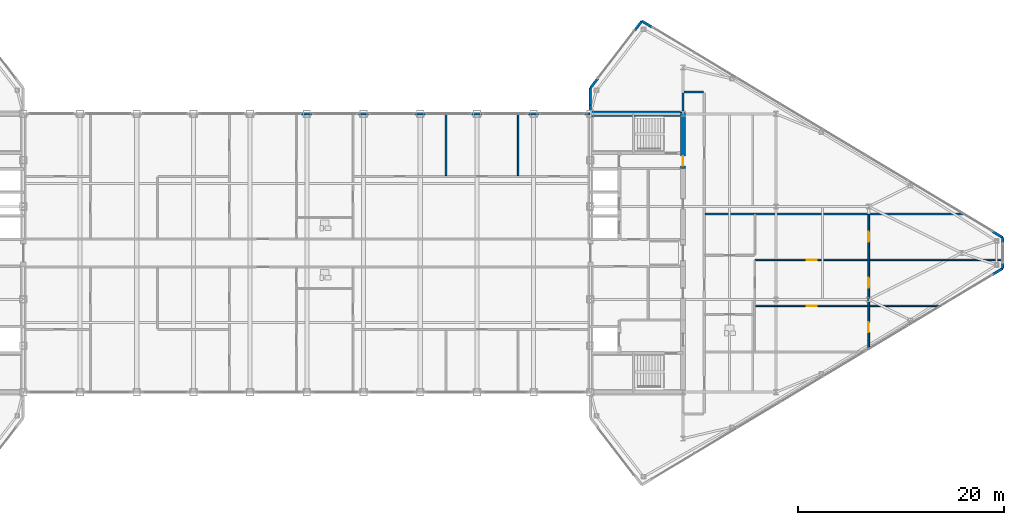
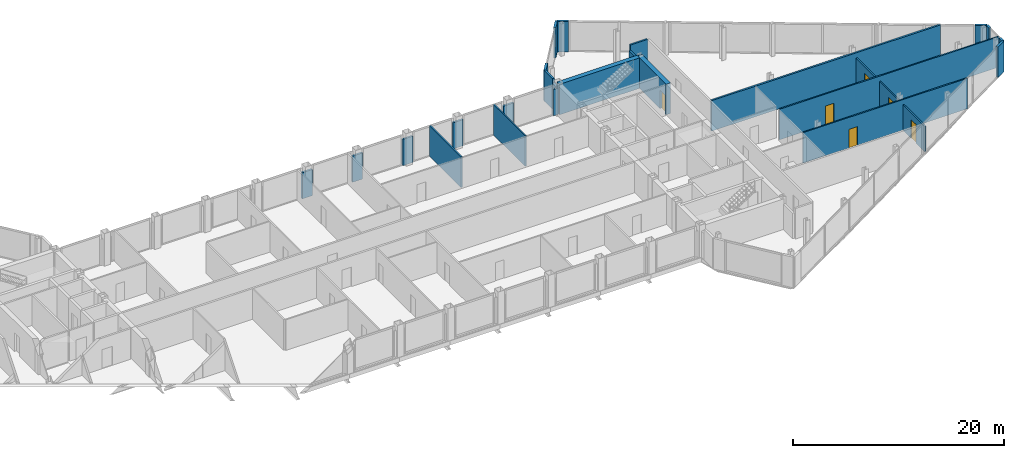
# One storey, part 25 of 28: 25 walls, 6 doors, 6 openings.
"""IFC4 building model written with IfcOpenShell, lengths in metres."""

from ifc_helpers import new_model, si_unit, direction, frame, frame_2d, origin, place, context, subcontext, project, spatial, rectangle, extrude, source, transform, mapped, material, layer, layer_set, type_object, type_shapes, element, fill, save


model = new_model("IFC4")

# Units and contexts
model_context = context("Model", 3, precision=1e-05, world=origin(), true_north=direction((0.0, 1.0)))
body_context = subcontext(model_context, "Body", "Model", "MODEL_VIEW")
ifc_project = project(units=[si_unit("LENGTHUNIT", "METRE"), si_unit("AREAUNIT", "SQUARE_METRE"), si_unit("VOLUMEUNIT", "CUBIC_METRE"), si_unit("PLANEANGLEUNIT", "RADIAN"), si_unit("MASSUNIT", "GRAM", prefix="KILO")], contexts=[model_context])

# Site, building, storey
site_placement = place(None, origin())
site = spatial("IfcSite", under=ifc_project, at=site_placement, CompositionType="ELEMENT")
building_placement = place(site_placement, origin())
building = spatial("IfcBuilding", under=site, at=building_placement, Name="Seokmaru Belvedere", CompositionType="ELEMENT")
storey_placement = place(building_placement, frame((0.0, 0.0, 261.89990234375)))
storey = spatial("IfcBuildingStorey", under=building, at=storey_placement, Name="L69", CompositionType="ELEMENT", Elevation=261.89990234375)

# Wall, opening, door
ifc_material_1 = material(Name="Fire-Rated Gypsum Shaftwall")
ifc_layer_1 = layer(ifc_material_1, 0.14990234375)
ifc_layer_set_1 = layer_set([ifc_layer_1], Name="Fire-Rated Gypsum Shaftwall")
wall_type_1 = type_object("IfcWallType", Name="Apartment Fire-Acoustic Room Partition 150", PredefinedType="PARTITIONING", material=ifc_layer_set_1)
wall_1_placement = place(storey_placement, frame((43.5, -5.1298828125, 0.0), z_axis=(0.0, 0.0, 1.0), x_axis=(1.0, 0.0, 0.0)))
wall_1 = element("IfcWall", 1, at=wall_1_placement, inside=storey, type_object=wall_type_1, Name="L69 Interior Partition 008", PredefinedType="PARTITIONING", context=body_context, shape_type="SweptSolid", body=[
    extrude(rectangle(XDim=17.97998046875, YDim=0.14990234375, at=frame_2d((8.989990234375, 0.0))), origin(), (0.0, 0.0, 1.0), 3.530029296875),
])
opening_1_placement = place(wall_1_placement, frame((5.0, 0.0, 0.0)))
opening_1 = element("IfcOpeningElement", 2, at=opening_1_placement, cuts=wall_1, Name="Opening D05", PredefinedType="OPENING", context=body_context, shape_type="SweptSolid", body=[
    extrude(rectangle(XDim=0.949951171875, YDim=2.14990234375, at=frame_2d((0.47509765625, 1.074951171875))), frame((0.0, 0.0849609375, 0.0), z_axis=(0.0, -1.0, 0.0), x_axis=(1.0, 0.0, 0.0)), (0.0, 0.0, 1.0), 0.169921875),
])
ifc_material_2 = material(Name="Engineered White Oak Timber", Category="wood")
door_type_1 = type_object("IfcDoorType", Name="Apartment Interior Fire-Rated Oak Door 950x2150", OperationType="NOTDEFINED", PredefinedType="DOOR", material=ifc_material_2)
shared_shape_1 = source(origin(), body_context, "Body", "SweptSolid", [
    extrude(rectangle(XDim=0.949951171875, YDim=2.14990234375, at=frame_2d((0.47509765625, 1.074951171875))), frame((0.0, 0.02490234375, 0.0), z_axis=(0.0, -1.0, 0.0), x_axis=(1.0, 0.0, 0.0)), (0.0, 0.0, 1.0), 0.050048828125),
])
type_shapes(door_type_1, [shared_shape_1])
door_1_placement = place(opening_1_placement, origin())
door_1 = element("IfcDoor", 3, at=door_1_placement, inside=storey, type_object=door_type_1, Name="L69 Interior Door 009", OperationType="SINGLE_SWING_RIGHT", OverallHeight=2.14990234375, OverallWidth=0.949951171875, PredefinedType="DOOR", context=body_context, shape_type="MappedRepresentation", body=[
    mapped(shared_shape_1, transform((0.0, 0.0, 0.0), scale=1.0)),
])
fill(opening_1, door_1)

wall_2_placement = place(storey_placement, frame((43.5, -0.669921875, 0.0), z_axis=(0.0, 0.0, 1.0), x_axis=(1.0, 0.0, 0.0)))
wall_2 = element("IfcWall", 4, at=wall_2_placement, inside=storey, type_object=wall_type_1, Name="L69 Interior Partition 011", PredefinedType="PARTITIONING", context=body_context, shape_type="SweptSolid", body=[
    extrude(rectangle(XDim=24.034912109375, YDim=0.14990234375, at=frame_2d((12.017578125, 0.0))), origin(), (0.0, 0.0, 1.0), 3.530029296875),
])
opening_2_placement = place(wall_2_placement, frame((5.0, 0.0, 0.0)))
opening_2 = element("IfcOpeningElement", 5, at=opening_2_placement, cuts=wall_2, Name="Opening D05", PredefinedType="OPENING", context=body_context, shape_type="SweptSolid", body=[
    extrude(rectangle(XDim=0.949951171875, YDim=2.14990234375, at=frame_2d((0.47509765625, 1.074951171875))), frame((0.0, 0.0849609375, 0.0), z_axis=(0.0, -1.0, 0.0), x_axis=(1.0, 0.0, 0.0)), (0.0, 0.0, 1.0), 0.169921875),
])
door_2_placement = place(opening_2_placement, origin())
door_2 = element("IfcDoor", 6, at=door_2_placement, inside=storey, type_object=door_type_1, Name="L69 Interior Door 010", OperationType="SINGLE_SWING_LEFT", OverallHeight=2.14990234375, OverallWidth=0.949951171875, PredefinedType="DOOR", context=body_context, shape_type="MappedRepresentation", body=[
    mapped(shared_shape_1, transform((0.0, 0.0, 0.0), scale=1.0)),
])
fill(opening_2, door_2)

# Walls
for number, where, z_axis, x_axis, name in (
    (7, (13.5, 7.510009765625, 0.0), (0.0, 0.0, 1.0), (0.0, 1.0, 0.0), "L69 Interior Partition 036"),
    (8, (20.5, 7.510009765625, 0.0), (0.0, 0.0, 1.0), (0.0, 1.0, 0.0), "L69 Interior Partition 038"),
):
    element("IfcWall", number, at=place(storey_placement, frame(where, z_axis=z_axis, x_axis=x_axis)), inside=storey, type_object=wall_type_1, Name=name, PredefinedType="PARTITIONING", context=body_context, shape_type="SweptSolid", body=[
        extrude(rectangle(XDim=5.989990234375, YDim=0.14990234375, at=frame_2d((2.9951171875, 0.0))), origin(), (0.0, 0.0, 1.0), 3.530029296875),
    ])

# Wall, openings, doors
wall_3_placement = place(storey_placement, frame((54.5, -9.3349609375, 0.0), z_axis=(0.0, 0.0, 1.0), x_axis=(0.0, 1.0, 0.0)))
wall_3 = element("IfcWall", 9, at=wall_3_placement, inside=storey, type_object=wall_type_1, Name="L69 Interior Partition 044", PredefinedType="PARTITIONING", context=body_context, shape_type="SweptSolid", body=[
    extrude(rectangle(XDim=13.0849609375, YDim=0.14990234375, at=frame_2d((6.54248046875, 0.0))), origin(), (0.0, 0.0, 1.0), 2.93017578125),
])
opening_3_placement = place(wall_3_placement, frame((5.9599609375, 0.0, 0.0)))
opening_3 = element("IfcOpeningElement", 10, at=opening_3_placement, cuts=wall_3, Name="Opening D05", PredefinedType="OPENING", context=body_context, shape_type="SweptSolid", body=[
    extrude(rectangle(XDim=0.949951171875, YDim=2.14990234375, at=frame_2d((0.47509765625, 1.074951171875))), frame((0.0, 0.0849609375, 0.0), z_axis=(0.0, -1.0, 0.0), x_axis=(1.0, 0.0, 0.0)), (0.0, 0.0, 1.0), 0.169921875),
])
opening_4_placement = place(wall_3_placement, frame((1.643310546875, 0.0, 0.0)))
opening_4 = element("IfcOpeningElement", 11, at=opening_4_placement, cuts=wall_3, Name="Opening D05", PredefinedType="OPENING", context=body_context, shape_type="SweptSolid", body=[
    extrude(rectangle(XDim=0.949951171875, YDim=2.14990234375, at=frame_2d((0.47509765625, 1.074951171875))), frame((0.0, 0.0849609375, 0.0), z_axis=(0.0, -1.0, 0.0), x_axis=(1.0, 0.0, 0.0)), (0.0, 0.0, 1.0), 0.169921875),
])
opening_5_placement = place(wall_3_placement, frame((10.4267578125, 0.0, 0.0)))
opening_5 = element("IfcOpeningElement", 12, at=opening_5_placement, cuts=wall_3, Name="Opening D05", PredefinedType="OPENING", context=body_context, shape_type="SweptSolid", body=[
    extrude(rectangle(XDim=0.949951171875, YDim=2.14990234375, at=frame_2d((0.47509765625, 1.074951171875))), frame((0.0, 0.0849609375, 0.0), z_axis=(0.0, -1.0, 0.0), x_axis=(1.0, 0.0, 0.0)), (0.0, 0.0, 1.0), 0.169921875),
])
door_3_placement = place(opening_3_placement, origin())
door_3 = element("IfcDoor", 13, at=door_3_placement, inside=storey, type_object=door_type_1, Name="L69 Interior Door 008", OperationType="SINGLE_SWING_RIGHT", OverallHeight=2.14990234375, OverallWidth=0.949951171875, PredefinedType="DOOR", context=body_context, shape_type="MappedRepresentation", body=[
    mapped(shared_shape_1, transform((0.0, 0.0, 0.0), scale=1.0)),
])
fill(opening_3, door_3)
door_4_placement = place(opening_4_placement, origin())
door_4 = element("IfcDoor", 14, at=door_4_placement, inside=storey, type_object=door_type_1, Name="L69 Interior Door 011", OperationType="SINGLE_SWING_LEFT", OverallHeight=2.14990234375, OverallWidth=0.949951171875, PredefinedType="DOOR", context=body_context, shape_type="MappedRepresentation", body=[
    mapped(shared_shape_1, transform((0.0, 0.0, 0.0), scale=1.0)),
])
fill(opening_4, door_4)
door_5_placement = place(opening_5_placement, origin())
door_5 = element("IfcDoor", 15, at=door_5_placement, inside=storey, type_object=door_type_1, Name="L69 Interior Door 012", OperationType="SINGLE_SWING_RIGHT", OverallHeight=2.14990234375, OverallWidth=0.949951171875, PredefinedType="DOOR", context=body_context, shape_type="MappedRepresentation", body=[
    mapped(shared_shape_1, transform((0.0, 0.0, 0.0), scale=1.0)),
])
fill(opening_5, door_5)

# Walls
ifc_material_3 = material(Name="Anodised Bronze Aluminium", Category="aluminium")
ifc_layer_2 = layer(ifc_material_3, 0.2099609375)
ifc_layer_set_2 = layer_set([ifc_layer_2], Name="Anodised Bronze Aluminium")
wall_type_2 = type_object("IfcWallType", Name="Bridge Column Spandrel Closure Pier 210", PredefinedType="SOLIDWALL", material=ifc_layer_set_2)
for number, where, z_axis, x_axis, name in (
    (16, (-0.550048828125, 13.5, 0.0), (0.0, 0.0, 1.0), (1.0, 0.0, 0.0), "L69 Bridge North Column Closure Pier 06"),
    (17, (4.949951171875, 13.5, 0.0), (0.0, 0.0, 1.0), (1.0, 0.0, 0.0), "L69 Bridge North Column Closure Pier 07"),
    (18, (10.449951171875, 13.5, 0.0), (0.0, 0.0, 1.0), (1.0, 0.0, 0.0), "L69 Bridge North Column Closure Pier 08"),
    (19, (15.949951171875, 13.5, 0.0), (0.0, 0.0, 1.0), (1.0, 0.0, 0.0), "L69 Bridge North Column Closure Pier 09"),
    (20, (21.449951171875, 13.5, 0.0), (0.0, 0.0, 1.0), (1.0, 0.0, 0.0), "L69 Bridge North Column Closure Pier 10"),
):
    element("IfcWall", number, at=place(storey_placement, frame(where, z_axis=z_axis, x_axis=x_axis)), inside=storey, type_object=wall_type_2, Name=name, PredefinedType="SOLIDWALL", context=body_context, shape_type="SweptSolid", body=[
        extrude(rectangle(XDim=1.10009765625, YDim=0.2099609375, at=frame_2d((0.550048828125, 0.0))), origin(), (0.0, 0.0, 1.0), 3.030029296875),
    ])
wall_4_placement = place(storey_placement, frame((26.949951171875, 13.5, 0.0), z_axis=(0.0, 0.0, 1.0), x_axis=(1.0, 0.0, 0.0)))
element("IfcWall", 21, at=wall_4_placement, inside=storey, type_object=wall_type_2, Name="L69 Bridge North Column Closure Pier 11", PredefinedType="SOLIDWALL", context=body_context, shape_type="SweptSolid", body=[
    extrude(rectangle(XDim=0.5400390625, YDim=0.2099609375, at=frame_2d((0.27001953125, 0.0))), origin(), (0.0, 0.0, 1.0), 3.030029296875),
])
ifc_layer_3 = layer(ifc_material_1, 0.199951171875)
ifc_layer_set_3 = layer_set([ifc_layer_3], Name="Fire-Rated Gypsum Shaftwall")
wall_type_3 = type_object("IfcWallType", Name="Inter-Tenancy Fire Compartment Partition 200", PredefinedType="PARTITIONING", material=ifc_layer_set_3)
wall_5_placement = place(storey_placement, frame((38.6298828125, 3.800048828125, 0.0), z_axis=(0.0, 0.0, 1.0), x_axis=(1.0, 0.0, 0.0)))
element("IfcWall", 22, at=wall_5_placement, inside=storey, type_object=wall_type_3, Name="L69 Interior Partition 016", PredefinedType="PARTITIONING", context=body_context, shape_type="SweptSolid", body=[
    extrude(rectangle(XDim=25.046142578125, YDim=0.199951171875, at=frame_2d((12.52294921875, 0.0))), origin(), (0.0, 0.0, 1.0), 3.530029296875),
])
wall_6_placement = place(storey_placement, frame((36.5849609375, 15.60009765625, 0.0), z_axis=(0.0, 0.0, 1.0), x_axis=(1.0, 0.0, 0.0)))
element("IfcWall", 23, at=wall_6_placement, inside=storey, type_object=wall_type_3, Name="L69 Interior Partition 021", PredefinedType="PARTITIONING", context=body_context, shape_type="SweptSolid", body=[
    extrude(rectangle(XDim=1.880126953125, YDim=0.199951171875, at=frame_2d((0.93994140625, 0.0))), origin(), (0.0, 0.0, 1.0), 3.530029296875),
])
wall_7_placement = place(storey_placement, frame((36.5, 13.7548828125, 0.0), z_axis=(0.0, 0.0, 1.0), x_axis=(0.0, 1.0, 0.0)))
element("IfcWall", 24, at=wall_7_placement, inside=storey, type_object=wall_type_3, Name="L69 Interior Partition 040", PredefinedType="PARTITIONING", context=body_context, shape_type="SweptSolid", body=[
    extrude(rectangle(XDim=1.760009765625, YDim=0.199951171875, at=frame_2d((0.8798828125, 0.0))), origin(), (0.0, 0.0, 1.0), 2.93017578125),
])
ifc_layer_4 = layer(ifc_material_3, 0.239990234375)
ifc_layer_set_4 = layer_set([ifc_layer_4], Name="Anodised Bronze Aluminium")
wall_type_4 = type_object("IfcWallType", Name="Tower Corner Spandrel Closure Wall 240", PredefinedType="SOLIDWALL", material=ifc_layer_set_4)
wall_8_placement = place(storey_placement, frame((66.513916015625, -2.091796875, 0.0), z_axis=(0.0, 0.0, 1.0), x_axis=(0.85743623509, 0.514590228002, 0.0)))
element("IfcWall", 25, at=wall_8_placement, inside=storey, type_object=wall_type_4, Name="L69 E Corner Closure Pier 1B", PredefinedType="SOLIDWALL", context=body_context, shape_type="SweptSolid", body=[
    extrude(rectangle(XDim=1.14013671875, YDim=0.239990234375, at=frame_2d((0.570068359375, 0.0))), origin(), (0.0, 0.0, 1.0), 3.530029296875),
])
for number, where, z_axis, x_axis, name in (
    (26, (67.5, -1.489990234375, 0.0), (0.0, 0.0, 1.0), (0.0, 1.0, 0.0), "L69 E Apex Closure Pier 2A"),
    (27, (67.5, 0.949951171875, 0.0), (0.0, 0.0, 1.0), (0.0, 1.0, 0.0), "L69 E Apex Closure Pier 2B"),
):
    element("IfcWall", number, at=place(storey_placement, frame(where, z_axis=z_axis, x_axis=x_axis)), inside=storey, type_object=wall_type_4, Name=name, PredefinedType="SOLIDWALL", context=body_context, shape_type="SweptSolid", body=[
        extrude(rectangle(XDim=0.5400390625, YDim=0.239990234375, at=frame_2d((0.27001953125, 0.0))), origin(), (0.0, 0.0, 1.0), 3.530029296875),
    ])
for number, where, z_axis, x_axis, name in (
    (28, (67.491455078125, 1.505126953125, 0.0), (0.0, 0.0, 1.0), (-0.85743623509, 0.514590228002, 0.0), "L69 E Corner Closure Pier 3A"),
    (29, (33.486083984375, 21.908203125, 0.0), (0.0, 0.0, 1.0), (-0.85743623509, 0.514590228002, 0.0), "L69 E Corner Closure Pier 3B"),
    (30, (32.493896484375, 22.4921875, 0.0), (0.0, 0.0, 1.0), (-0.609617623633, -0.792695624408, 0.0), "L69 E Corner Closure Pier 4A"),
    (31, (28.201171875, 16.91162109375, 0.0), (0.0, 0.0, 1.0), (-0.609617623633, -0.792695624408, 0.0), "L69 E Corner Closure Pier 4B"),
):
    element("IfcWall", number, at=place(storey_placement, frame(where, z_axis=z_axis, x_axis=x_axis)), inside=storey, type_object=wall_type_4, Name=name, PredefinedType="SOLIDWALL", context=body_context, shape_type="SweptSolid", body=[
        extrude(rectangle(XDim=1.14013671875, YDim=0.239990234375, at=frame_2d((0.570068359375, 0.0))), origin(), (0.0, 0.0, 1.0), 3.530029296875),
    ])
wall_9_placement = place(storey_placement, frame((27.5, 13.7548828125, 0.0), z_axis=(0.0, 0.0, 1.0), x_axis=(0.0, 1.0, 0.0)))
element("IfcWall", 32, at=wall_9_placement, inside=storey, type_object=wall_type_4, Name="L69 E Shoulder Closure Wall 2", PredefinedType="SOLIDWALL", context=body_context, shape_type="SweptSolid", body=[
    extrude(rectangle(XDim=0.619873046875, YDim=0.239990234375, at=frame_2d((0.31005859375, 0.0))), origin(), (0.0, 0.0, 1.0), 3.030029296875),
])
wall_10_placement = place(storey_placement, frame((27.5, 14.374755859375, 0.0), z_axis=(0.0, 0.0, 1.0), x_axis=(0.0, 1.0, 0.0)))
element("IfcWall", 33, at=wall_10_placement, inside=storey, type_object=wall_type_4, Name="L69 E Shoulder Closure Wall 2 Part 2", PredefinedType="SOLIDWALL", context=body_context, shape_type="SweptSolid", body=[
    extrude(rectangle(XDim=1.605224609375, YDim=0.239990234375, at=frame_2d((0.802734375, 0.0))), origin(), (0.0, 0.0, 1.0), 3.530029296875),
])
ifc_material_4 = material(Name="Concrete C50 (50 MPa)", Category="concrete")
ifc_layer_5 = layer(ifc_material_4, 0.5)
ifc_layer_set_5 = layer_set([ifc_layer_5], Name="Concrete C50 (50 MPa)")
wall_type_5 = type_object("IfcWallType", Name="Upper Tower Reinforced Concrete Core Wall 500", PredefinedType="SHEAR", material=ifc_layer_set_5)
wall_11_placement = place(storey_placement, frame((27.5, 13.5, 0.0), z_axis=(0.0, 0.0, 1.0), x_axis=(1.0, 0.0, 0.0)))
element("IfcWall", 34, at=wall_11_placement, inside=storey, type_object=wall_type_5, Name="L69 East North Core Wall", PredefinedType="SHEAR", context=body_context, shape_type="SweptSolid", body=[
    extrude(rectangle(XDim=9.0, YDim=0.5, at=frame_2d((4.5, 0.0))), origin(), (0.0, 0.0, 1.0), 3.530029296875),
])

# Wall, opening, door
wall_12_placement = place(storey_placement, frame((36.5, 8.199951171875, 0.0), z_axis=(0.0, 0.0, 1.0), x_axis=(0.0, 1.0, 0.0)))
wall_12 = element("IfcWall", 35, at=wall_12_placement, inside=storey, type_object=wall_type_5, Name="L69 East West Core Wall VST", PredefinedType="SHEAR", context=body_context, shape_type="SweptSolid", body=[
    extrude(rectangle(XDim=5.449951171875, YDim=0.5, at=frame_2d((2.72509765625, 0.0))), origin(), (0.0, 0.0, 1.0), 3.530029296875),
])
opening_6_placement = place(wall_12_placement, frame((0.2451171875, 0.0, 0.0)))
opening_6 = element("IfcOpeningElement", 36, at=opening_6_placement, cuts=wall_12, Name="Opening D04", PredefinedType="OPENING", context=body_context, shape_type="SweptSolid", body=[
    extrude(rectangle(XDim=0.949951171875, YDim=2.14990234375, at=frame_2d((0.47509765625, 1.074951171875))), frame((0.0, 0.260009765625, 0.0), z_axis=(0.0, -1.0, 0.0), x_axis=(1.0, 0.0, 0.0)), (0.0, 0.0, 1.0), 0.52001953125),
])
ifc_material_5 = material(Name="Fire-Rated Steel Leaf", Category="steel")
door_type_2 = type_object("IfcDoorType", Name="Core Service Room Fire Door 950x2150", OperationType="NOTDEFINED", PredefinedType="DOOR", material=ifc_material_5)
shared_shape_2 = source(origin(), body_context, "Body", "SweptSolid", [
    extrude(rectangle(XDim=0.949951171875, YDim=2.14990234375, at=frame_2d((0.47509765625, 1.074951171875))), frame((0.0, 0.02490234375, 0.0), z_axis=(0.0, -1.0, 0.0), x_axis=(1.0, 0.0, 0.0)), (0.0, 0.0, 1.0), 0.050048828125),
])
type_shapes(door_type_2, [shared_shape_2])
door_6_placement = place(opening_6_placement, origin())
door_6 = element("IfcDoor", 37, at=door_6_placement, inside=storey, type_object=door_type_2, Name="L69 East Smokeproof Vestibule Door", OperationType="SINGLE_SWING_LEFT", OverallHeight=2.14990234375, OverallWidth=0.949951171875, PredefinedType="DOOR", context=body_context, shape_type="MappedRepresentation", body=[
    mapped(shared_shape_2, transform((0.0, 0.0, 0.0), scale=1.0)),
])
fill(opening_6, door_6)

save(model, "model.ifc")
